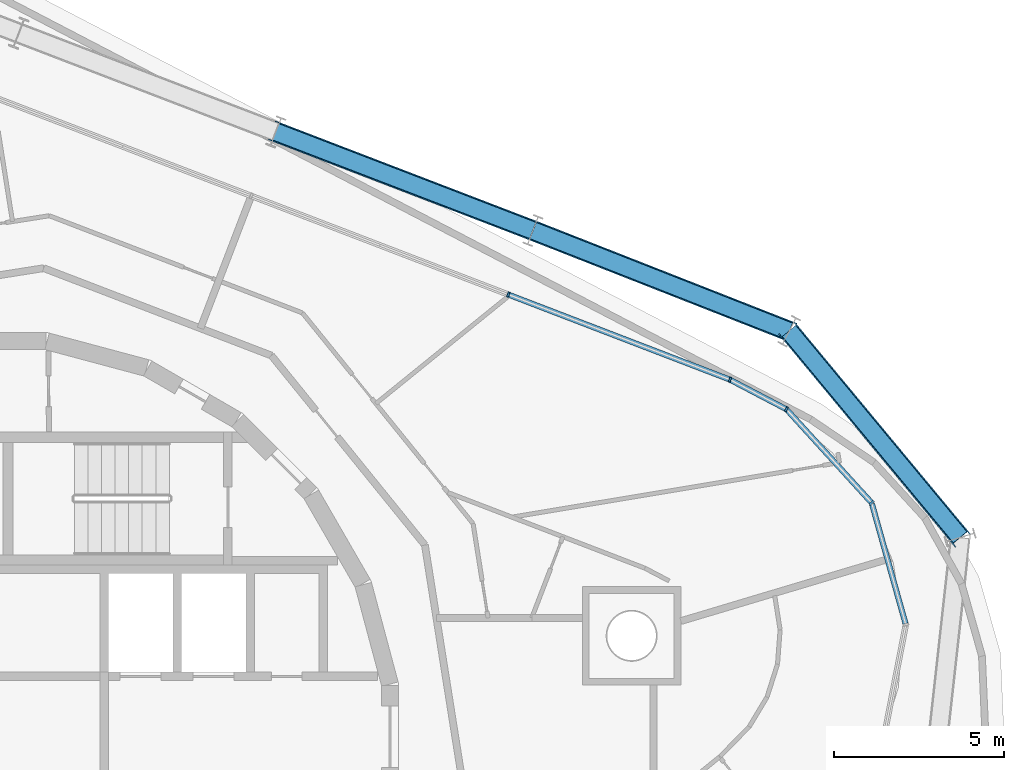
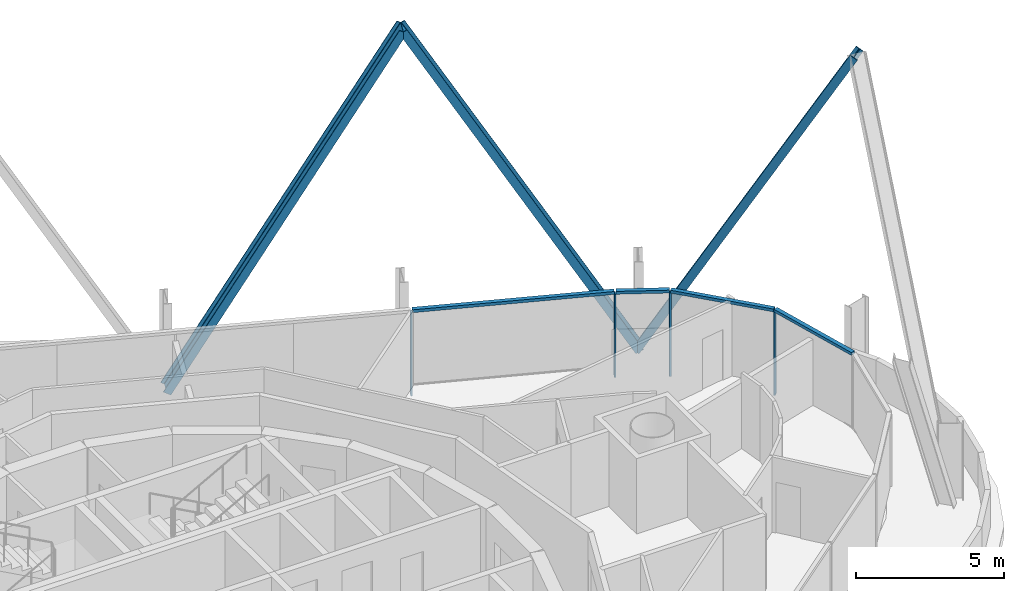
# One storey, part 9 of 19: 11 members, 2 elements without a shape of their own.
"""IFC4 building model written with IfcOpenShell, lengths in metres."""

from ifc_helpers import new_model, si_unit, direction, frame, origin, origin_2d, place, context, subcontext, project, spatial, rectangle, i_section, extrude, material, layer, layer_set, material_profile, profile_set, type_object, element, aggregate, save


model = new_model("IFC4")

# Units and contexts
model_context = context("Model", 3, precision=1e-05, world=origin(), true_north=direction((0.0, 1.0)))
body_context = subcontext(model_context, "Body", "Model", "MODEL_VIEW")
ifc_project = project(units=[si_unit("LENGTHUNIT", "METRE"), si_unit("AREAUNIT", "SQUARE_METRE"), si_unit("VOLUMEUNIT", "CUBIC_METRE"), si_unit("PLANEANGLEUNIT", "RADIAN"), si_unit("MASSUNIT", "GRAM", prefix="KILO")], contexts=[model_context])

# Site, building, storey
site_placement = place(None, origin())
site = spatial("IfcSite", under=ifc_project, at=site_placement, CompositionType="ELEMENT")
building_placement = place(site_placement, origin())
building = spatial("IfcBuilding", under=site, at=building_placement, Name="Spindle Arch Residences", CompositionType="ELEMENT")
storey_placement = place(building_placement, frame((0.0, 0.0, 263.39990234375)))
storey = spatial("IfcBuildingStorey", under=building, at=storey_placement, Name="L67", CompositionType="ELEMENT", Elevation=263.39990234375)

# Curtain wall, members
ifc_material_1 = material(Name="Aluminium bronze unitised frame with tinted glass", Category="aluminium")
ifc_layer_1 = layer(ifc_material_1, 0.159912109375)
ifc_layer_set_1 = layer_set([ifc_layer_1], Name="CW-D corner wall on the fillet arcs")
curtain_wall_type_1 = type_object("IfcCurtainWallType", Name="CW-D corner wall on the fillet arcs", PredefinedType="NOTDEFINED", material=ifc_layer_set_1)
curtain_wall_1_placement = place(storey_placement, origin())
curtain_wall_1 = element("IfcCurtainWall", 1, at=curtain_wall_1_placement, inside=storey, type_object=curtain_wall_type_1, Name="CW-D L67 run 1", PredefinedType="NOTDEFINED")
ifc_material_2 = material(Name="Aluminium bronze anodised mullion", Category="aluminium")
ifc_material_profile_1 = material_profile(ifc_material_2, rectangle(XDim=0.159912109375, YDim=0.06005859375, at=origin_2d()), Name="MU 60x160")
ifc_profile_set_1 = profile_set([ifc_material_profile_1], Name="Aluminium bronze anodised mullion")
member_type_1 = type_object("IfcMemberType", Name="Bronze mullion 60x160", PredefinedType="MULLION", material=ifc_profile_set_1)
member_1_placement = place(storey_placement, frame((25.826171875, 6.888427734375, -0.449951171875), z_axis=(0.0, 0.0, 1.0), x_axis=(-0.73923942464, -0.673442702134, 0.0)))
member_1 = element("IfcMember", 2, at=member_1_placement, type_object=member_type_1, Name="CW-D mullion 04", PredefinedType="MULLION", context=body_context, shape_type="SweptSolid", body=[
    extrude(rectangle(XDim=0.159912109375, YDim=0.06005859375, at=origin_2d()), origin(), (0.0, 0.0, 1.0), 3.449951171875),
])
member_2_placement = place(storey_placement, frame((23.316650390625, 9.643310546875, -0.449951171875), z_axis=(0.0, 0.0, 1.0), x_axis=(-0.464326860783, -0.885663912754, 0.0)))
member_2 = element("IfcMember", 3, at=member_2_placement, type_object=member_type_1, Name="CW-D mullion 05", PredefinedType="MULLION", context=body_context, shape_type="SweptSolid", body=[
    extrude(rectangle(XDim=0.159912109375, YDim=0.06005859375, at=origin_2d()), origin(), (0.0, 0.0, 1.0), 3.449951171875),
])
member_3_placement = place(storey_placement, frame((21.655029296875, 10.514404296875, -0.449951171875), z_axis=(0.0, 0.0, 1.0), x_axis=(-0.358367949545, -0.933580426497, 0.0)))
member_3 = element("IfcMember", 4, at=member_3_placement, type_object=member_type_1, Name="CW-D mullion 06", PredefinedType="MULLION", context=body_context, shape_type="SweptSolid", body=[
    extrude(rectangle(XDim=0.159912109375, YDim=0.06005859375, at=origin_2d()), origin(), (0.0, 0.0, 1.0), 3.449951171875),
])

# Curtain wall, member
ifc_material_3 = material(Name="Aluminium bronze unitised frame with tinted glass", Category="aluminium")
ifc_layer_2 = layer(ifc_material_3, 0.159912109375)
ifc_layer_set_2 = layer_set([ifc_layer_2], Name="CW-C typical residential unitised wall")
curtain_wall_type_2 = type_object("IfcCurtainWallType", Name="CW-C typical residential unitised wall", PredefinedType="NOTDEFINED", material=ifc_layer_set_2)
curtain_wall_2_placement = place(storey_placement, origin())
curtain_wall_2 = element("IfcCurtainWall", 5, at=curtain_wall_2_placement, inside=storey, type_object=curtain_wall_type_2, Name="CW-C L67 run 2", PredefinedType="NOTDEFINED")
member_4_placement = place(storey_placement, frame((15.12939453125, 13.01953125, -0.449951171875), z_axis=(0.0, 0.0, 1.0), x_axis=(-0.358367949545, -0.933580426497, 0.0)))
member_4 = element("IfcMember", 6, at=member_4_placement, type_object=member_type_1, Name="CW-C mullion 05", PredefinedType="MULLION", context=body_context, shape_type="SweptSolid", body=[
    extrude(rectangle(XDim=0.159912109375, YDim=0.06005859375, at=origin_2d()), origin(), (0.0, 0.0, 1.0), 3.449951171875),
])
aggregate(curtain_wall_2, [member_4])

# Member
ifc_material_4 = material(Name="Aluminium bronze anodised transom", Category="aluminium")
ifc_material_profile_2 = material_profile(ifc_material_4, rectangle(XDim=0.159912109375, YDim=0.1201171875, at=origin_2d()), Name="TR 120x160")
ifc_profile_set_2 = profile_set([ifc_material_profile_2], Name="Aluminium bronze anodised transom")
member_type_2 = type_object("IfcMemberType", Name="Bronze transom 120x160", PredefinedType="USERDEFINED", material=ifc_profile_set_2)
member_5_placement = place(storey_placement, frame((26.824462890625, 3.3291015625, 3.06005859375), z_axis=(-0.26999542292, 0.962861605633, 0.0), x_axis=(-0.962861605633, -0.26999542292, 0.0)))
member_5 = element("IfcMember", 7, at=member_5_placement, type_object=member_type_2, Name="CW-D transom 03", ObjectType="TRANSOM", PredefinedType="USERDEFINED", context=body_context, shape_type="SweptSolid", body=[
    extrude(rectangle(XDim=0.159912109375, YDim=0.1201171875, at=origin_2d()), origin(), (0.0, 0.0, 1.0), 3.666748046875),
])

member_6_placement = place(storey_placement, frame((25.80615234375, 6.91064453125, 3.06005859375), z_axis=(-0.673451190177, 0.739231691995, 0.0), x_axis=(-0.739231691995, -0.673451190177, 0.0)))
member_6 = element("IfcMember", 8, at=member_6_placement, type_object=member_type_2, Name="CW-D transom 04", ObjectType="TRANSOM", PredefinedType="USERDEFINED", context=body_context, shape_type="SweptSolid", body=[
    extrude(rectangle(XDim=0.159912109375, YDim=0.1201171875, at=origin_2d()), origin(), (0.0, 0.0, 1.0), 3.6669921875),
])

member_7_placement = place(storey_placement, frame((23.2900390625, 9.6572265625, 3.06005859375), z_axis=(-0.885657808089, 0.464338504726, 0.0), x_axis=(-0.464338504726, -0.885657808089, 0.0)))
member_7 = element("IfcMember", 9, at=member_7_placement, type_object=member_type_2, Name="CW-D transom 05", ObjectType="TRANSOM", PredefinedType="USERDEFINED", context=body_context, shape_type="SweptSolid", body=[
    extrude(rectangle(XDim=0.159912109375, YDim=0.1201171875, at=origin_2d()), origin(), (0.0, 0.0, 1.0), 1.816162109375),
])

member_8_placement = place(storey_placement, frame((21.626953125, 10.525390625, 3.06005859375), z_axis=(-0.933580580487, 0.358367548387, 0.0), x_axis=(-0.358367548387, -0.933580580487, 0.0)))
member_8 = element("IfcMember", 10, at=member_8_placement, type_object=member_type_2, Name="CW-D transom 06", ObjectType="TRANSOM", PredefinedType="USERDEFINED", context=body_context, shape_type="SweptSolid", body=[
    extrude(rectangle(XDim=0.159912109375, YDim=0.1201171875, at=origin_2d()), origin(), (0.0, 0.0, 1.0), 6.9296875),
])

aggregate(curtain_wall_1, [member_5, member_1, member_6, member_2, member_7, member_3, member_8])

# Members
ifc_material_5 = material(Name="Steel S460ML, intumescent coating R 240", Category="steel")
ifc_material_profile_3 = material_profile(ifc_material_5, i_section(OverallWidth=0.300048828125, OverallDepth=0.60009765625, WebThickness=0.015380859375, FlangeThickness=0.030029296875, FilletRadius=0.027099609375, at=origin_2d()), Name="HEB 600")
ifc_profile_set_3 = profile_set([ifc_material_profile_3], Name="Steel S460ML, intumescent coating R 240")
member_type_3 = type_object("IfcMemberType", Name="Diagrid diagonal HEB 600", PredefinedType="BRACE", material=ifc_profile_set_3)
member_9_placement = place(storey_placement, frame((23.398193359375, 11.94287109375, -0.699951171875), z_axis=(0.312226149499, -0.376590349675, 0.872178043808), x_axis=(-0.556670387162, 0.671425811358, 0.489188572945)))
element("IfcMember", 11, at=member_9_placement, inside=storey, type_object=member_type_3, Name="Diagrid diagonal 7.1.4", PredefinedType="BRACE", context=body_context, shape_type="SweptSolid", body=[
    extrude(i_section(OverallWidth=0.300048828125, OverallDepth=0.60009765625, WebThickness=0.015380859375, FlangeThickness=0.030029296875, FilletRadius=0.027099609375, at=origin_2d()), origin(), (0.0, 0.0, 1.0), 16.132080078125),
])
member_10_placement = place(storey_placement, frame((23.398193359375, 11.94287109375, -0.699951171875), z_axis=(-0.464637872183, 0.182439114037, 0.866503097168), x_axis=(0.806556457673, -0.316692750135, 0.499171696511)))
element("IfcMember", 12, at=member_10_placement, inside=storey, type_object=member_type_3, Name="Diagrid diagonal 7.1.5", PredefinedType="BRACE", context=body_context, shape_type="SweptSolid", body=[
    extrude(i_section(OverallWidth=0.300048828125, OverallDepth=0.60009765625, WebThickness=0.015380859375, FlangeThickness=0.030029296875, FilletRadius=0.027099609375, at=origin_2d()), origin(), (0.0, 0.0, 1.0), 16.23779296875),
])
member_11_placement = place(storey_placement, frame((8.2841796875, 17.810791015625, -0.699951171875), z_axis=(0.466122070001, -0.178922679496, 0.866439201918), x_axis=(-0.808893477576, 0.310496751278, 0.49928259471)))
element("IfcMember", 13, at=member_11_placement, inside=storey, type_object=member_type_3, Name="Diagrid diagonal 7.1.6", PredefinedType="BRACE", context=body_context, shape_type="SweptSolid", body=[
    extrude(i_section(OverallWidth=0.300048828125, OverallDepth=0.60009765625, WebThickness=0.015380859375, FlangeThickness=0.030029296875, FilletRadius=0.027099609375, at=origin_2d()), origin(), (0.0, 0.0, 1.0), 16.239013671875),
])

save(model, "model.ifc")
